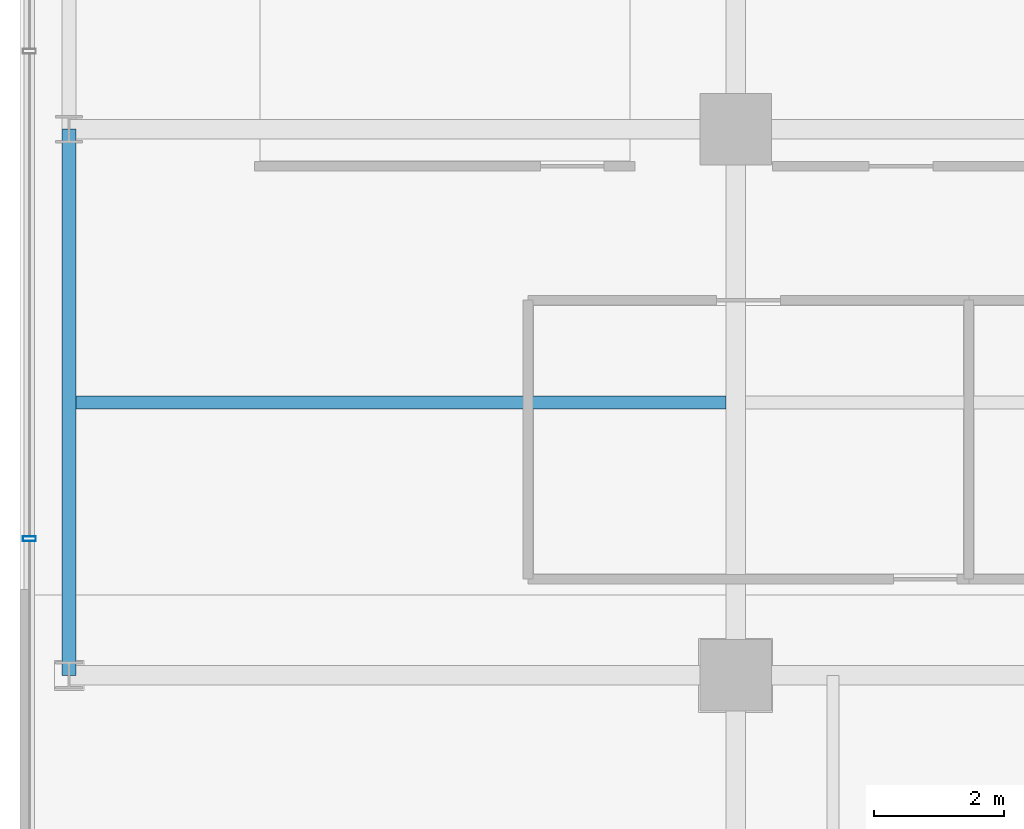
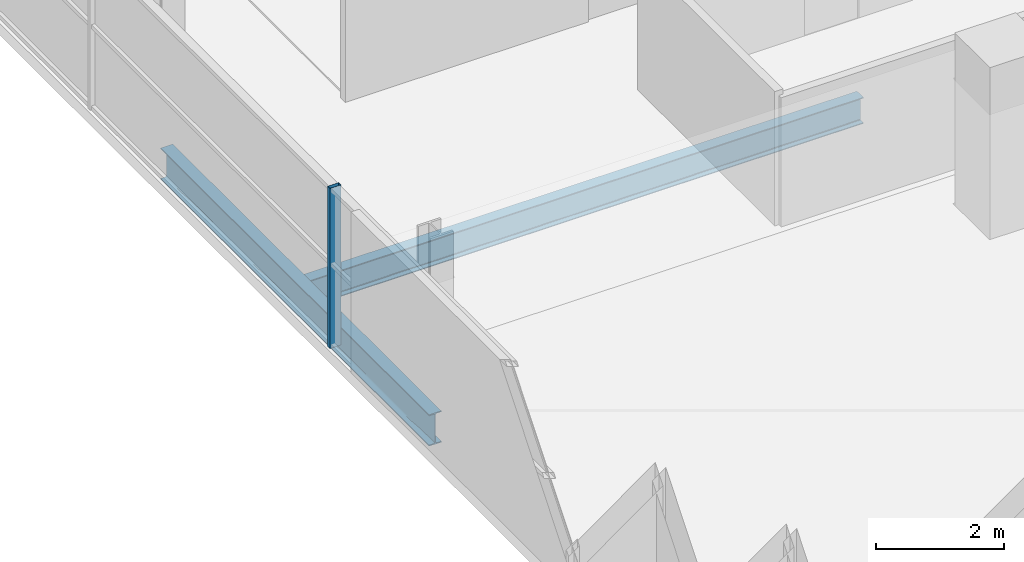
# One storey, part 4 of 30: 2 beams, 1 member, 1 element without a shape of its own.
"""IFC4 building model written with IfcOpenShell, lengths in metres."""

from ifc_helpers import new_model, si_unit, direction, frame, origin, origin_2d, place, context, subcontext, project, spatial, hollow_rectangle, i_section, extrude, source, transform, mapped, material, layer, layer_set, material_profile, profile_set, type_object, element, aggregate, save


model = new_model("IFC4")

# Units and contexts
model_context = context("Model", 3, precision=1e-05, world=origin(), true_north=direction((0.0, 1.0)))
body_context = subcontext(model_context, "Body", "Model", "MODEL_VIEW")
ifc_project = project(units=[si_unit("LENGTHUNIT", "METRE"), si_unit("AREAUNIT", "SQUARE_METRE"), si_unit("VOLUMEUNIT", "CUBIC_METRE"), si_unit("PLANEANGLEUNIT", "RADIAN"), si_unit("MASSUNIT", "GRAM", prefix="KILO")], contexts=[model_context])

# Site, building, storey
site_placement = place(None, origin())
site = spatial("IfcSite", under=ifc_project, at=site_placement, CompositionType="ELEMENT")
building_placement = place(site_placement, origin())
building = spatial("IfcBuilding", under=site, at=building_placement, Name="Zarnakvel Exchange Tower", CompositionType="ELEMENT")
storey_placement = place(building_placement, frame((0.0, 0.0, 50.5)))
storey = spatial("IfcBuildingStorey", under=building, at=storey_placement, Name="L13", CompositionType="ELEMENT", Elevation=50.5)

# Beams
ifc_material_1 = material(Name="Steel S355", Category="steel")
ifc_material_profile_1 = material_profile(ifc_material_1, i_section(OverallWidth=0.199951171875, OverallDepth=0.5, WebThickness=0.01025390625, FlangeThickness=0.01611328125, FilletRadius=0.02099609375, at=origin_2d()))
ifc_profile_set_1 = profile_set([ifc_material_profile_1], Name="Steel S355")
beam_type_1 = type_object("IfcBeamType", Name="B-04", PredefinedType="JOIST", material=ifc_profile_set_1)
beam_1_placement = place(storey_placement, frame((-31.85009765625, -5.39990234375, -0.47509765625), z_axis=(1.0, 0.0, 0.0), x_axis=(0.0, 1.0, 0.0)))
element("IfcBeam", 1, at=beam_1_placement, inside=storey, type_object=beam_type_1, Name="L13 Composite Floor Secondary Joist", PredefinedType="JOIST", context=body_context, shape_type="SweptSolid", body=[
    extrude(i_section(OverallWidth=0.199951171875, OverallDepth=0.5, WebThickness=0.01025390625, FlangeThickness=0.01611328125, FilletRadius=0.02099609375, at=origin_2d()), origin(), (0.0, 0.0, 1.0), 10.10009765625),
])
ifc_material_profile_2 = material_profile(ifc_material_1, i_section(OverallWidth=0.219970703125, OverallDepth=0.60009765625, WebThickness=0.011962890625, FlangeThickness=0.01904296875, FilletRadius=0.02392578125, at=origin_2d()))
ifc_profile_set_2 = profile_set([ifc_material_profile_2], Name="Steel S355")
beam_type_2 = type_object("IfcBeamType", Name="SP-01", PredefinedType="SPANDREL", material=ifc_profile_set_2)
beam_2_placement = place(storey_placement, frame((-31.85009765625, -9.60009765625, -0.52490234375), z_axis=(0.0, 1.0, 0.0), x_axis=(-1.0, 0.0, 0.0)))
element("IfcBeam", 2, at=beam_2_placement, inside=storey, type_object=beam_type_2, Name="L13 Tower N-S Frame Beam", PredefinedType="SPANDREL", context=body_context, shape_type="SweptSolid", body=[
    extrude(i_section(OverallWidth=0.219970703125, OverallDepth=0.60009765625, WebThickness=0.011962890625, FlangeThickness=0.01904296875, FilletRadius=0.02392578125, at=origin_2d()), origin(), (0.0, 0.0, 1.0), 8.400146484375),
])

# Curtain wall, member
ifc_material_2 = material(Name="Architectural Bronze Anodised Aluminium", Category="aluminium")
ifc_layer = layer(ifc_material_2, 0.199951171875)
ifc_layer_set = layer_set([ifc_layer], Name="Architectural Bronze Anodised Aluminium")
curtain_wall_type = type_object("IfcCurtainWallType", Name="CW-04", PredefinedType="NOTDEFINED", material=ifc_layer_set)
curtain_wall_placement = place(storey_placement, origin())
curtain_wall = element("IfcCurtainWall", 3, at=curtain_wall_placement, inside=storey, type_object=curtain_wall_type, Name="L13 Curtain Wall CW-L13-W1 (CW-04)", PredefinedType="NOTDEFINED")
ifc_material_profile_3 = material_profile(ifc_material_2, hollow_rectangle(XDim=0.199951171875, YDim=0.074951171875, WallThickness=0.0048828125, at=origin_2d()))
ifc_profile_set_3 = profile_set([ifc_material_profile_3], Name="Architectural Bronze Anodised Aluminium")
member_type = type_object("IfcMemberType", Name="CWM-04", PredefinedType="MULLION", material=ifc_profile_set_3)
shared_shape = source(origin(), body_context, "Body", "SweptSolid", [
    extrude(hollow_rectangle(XDim=0.199951171875, YDim=0.074951171875, WallThickness=0.0048828125, at=origin_2d()), origin(), (0.0, 0.0, 1.0), 3.054931640625),
])
member_placement = place(storey_placement, frame((-32.4599609375, -7.5, 0.0), z_axis=(0.0, 0.0, 1.0), x_axis=(-1.0, 0.0, 0.0)))
member = element("IfcMember", 4, at=member_placement, type_object=member_type, Name="CW-04 mullion 2", PredefinedType="MULLION", context=body_context, shape_type="MappedRepresentation", body=[
    mapped(shared_shape, transform((0.0, 0.0, 0.0), x_axis=(1.0, 0.0, 0.0), y_axis=(0.0, 1.0, 0.0), z_axis=(0.0, 0.0, 1.0), scale=1.0)),
])
aggregate(curtain_wall, [member])

save(model, "model.ifc")
